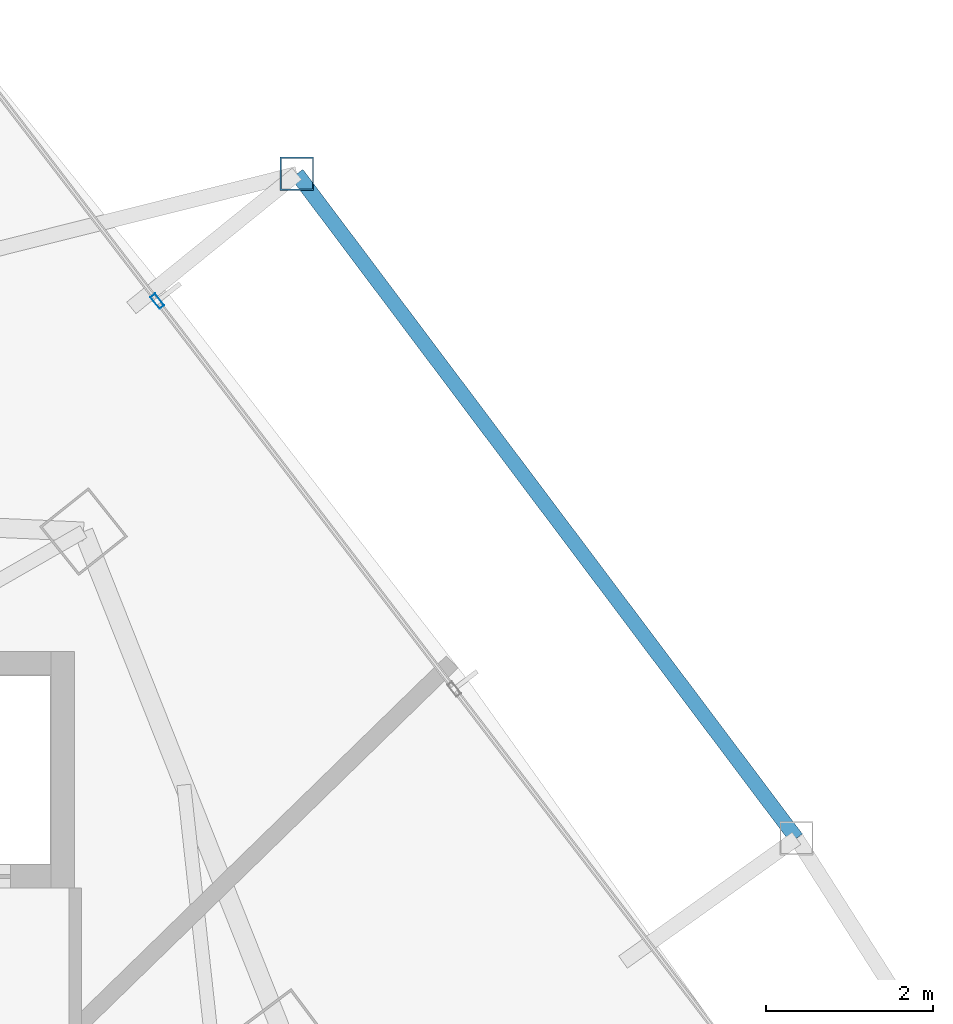
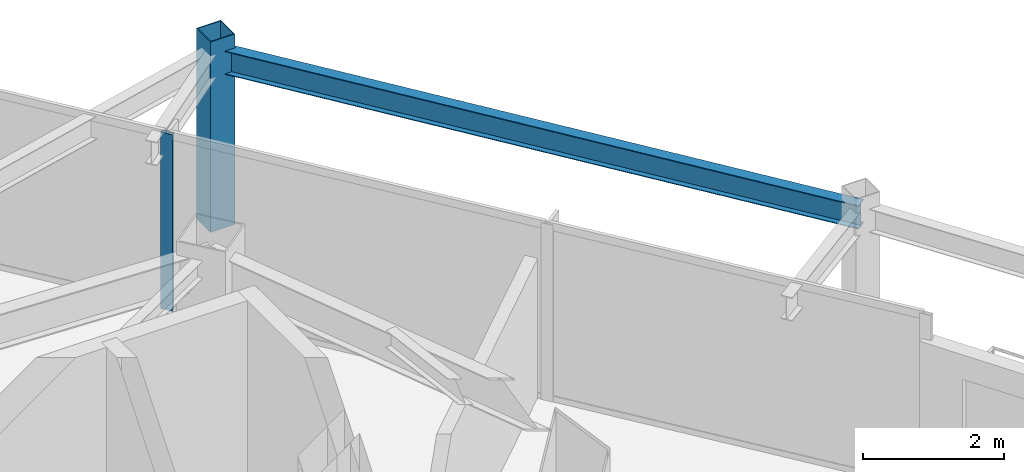
# One storey, part 24 of 31: 2 members, 1 beam, 1 element without a shape of its own.
"""IFC4 building model written with IfcOpenShell, lengths in metres."""

from ifc_helpers import new_model, si_unit, direction, frame, origin, origin_2d, place, context, subcontext, project, spatial, hollow_rectangle, i_section, extrude, material, layer, layer_set, material_profile, profile_set, type_object, element, aggregate, save


model = new_model("IFC4")

# Units and contexts
model_context = context("Model", 3, precision=1e-05, world=origin(), true_north=direction((0.0, 1.0)))
body_context = subcontext(model_context, "Body", "Model", "MODEL_VIEW")
ifc_project = project(units=[si_unit("LENGTHUNIT", "METRE"), si_unit("AREAUNIT", "SQUARE_METRE"), si_unit("VOLUMEUNIT", "CUBIC_METRE"), si_unit("PLANEANGLEUNIT", "RADIAN"), si_unit("MASSUNIT", "GRAM", prefix="KILO")], contexts=[model_context])

# Site, building, storey
site_placement = place(None, origin())
site = spatial("IfcSite", under=ifc_project, at=site_placement, CompositionType="ELEMENT")
building_placement = place(site_placement, origin())
building = spatial("IfcBuilding", under=site, at=building_placement, Name="Orvanel Arch Residences", CompositionType="ELEMENT")
storey_placement = place(building_placement, frame((0.0, 0.0, 110.0)))
storey = spatial("IfcBuildingStorey", under=building, at=storey_placement, Name="L30", CompositionType="ELEMENT", Elevation=110.0)

# Curtain wall, member
ifc_material_1 = material(Name="Bronze-anodised aluminium AA6063-T6", Category="aluminium")
ifc_layer = layer(ifc_material_1, 0.179931640625)
ifc_layer_set = layer_set([ifc_layer], Name="Bronze-anodised aluminium AA6063-T6")
curtain_wall_type = type_object("IfcCurtainWallType", Name="CW3-MID-SYS", PredefinedType="NOTDEFINED", material=ifc_layer_set)
curtain_wall_placement = place(storey_placement, origin())
curtain_wall = element("IfcCurtainWall", 1, at=curtain_wall_placement, inside=storey, type_object=curtain_wall_type, Name="L30 CW3-MID-SYS Unitised Curtain Wall", PredefinedType="NOTDEFINED")
ifc_material_profile_1 = material_profile(ifc_material_1, hollow_rectangle(XDim=0.070068359375, YDim=0.179931640625, WallThickness=0.00439453125, at=origin_2d()), Name="ALU180x70x4.5")
ifc_profile_set_1 = profile_set([ifc_material_profile_1], Name="Bronze-anodised aluminium AA6063-T6")
member_type_1 = type_object("IfcMemberType", Name="MUL-180x70", PredefinedType="MULLION", material=ifc_profile_set_1)
member_1_placement = place(storey_placement, frame((38.8330078125, 43.936767578125, 0.0), z_axis=(0.0, 0.0, 1.0), x_axis=(-0.794009853454, -0.607904887805, 0.0)))
member_1 = element("IfcMember", 2, at=member_1_placement, type_object=member_type_1, Name="CW-S3 mullion 3", PredefinedType="MULLION", context=body_context, shape_type="SweptSolid", body=[
    extrude(hollow_rectangle(XDim=0.070068359375, YDim=0.179931640625, WallThickness=0.00439453125, at=origin_2d()), origin(), (0.0, 0.0, 1.0), 3.06005859375),
])
aggregate(curtain_wall, [member_1])

# Beam
ifc_material_2 = material(Name="Structural steel AS/NZS 3679.1 Grade 300 (300 MPa)", Category="steel")
ifc_material_profile_2 = material_profile(ifc_material_2, i_section(OverallWidth=0.177978515625, OverallDepth=0.406005859375, WebThickness=0.0078125, FlangeThickness=0.0126953125, at=origin_2d()), Name="410UB59.7")
ifc_profile_set_2 = profile_set([ifc_material_profile_2], Name="Structural steel AS/NZS 3679.1 Grade 300 (300 MPa)")
beam_type = type_object("IfcBeamType", Name="OB-410UB-EXT", PredefinedType="SPANDREL", material=ifc_profile_set_2)
beam_placement = place(storey_placement, frame((46.486083984375, 37.5048828125, 2.85693359375), z_axis=(-0.600862966541, 0.799352047248, 0.0), x_axis=(-0.799352047248, -0.600862966541, 0.0)))
element("IfcBeam", 3, at=beam_placement, inside=storey, type_object=beam_type, Name="L30 Outer Perimeter Floor Ring Beam 11", PredefinedType="SPANDREL", context=body_context, shape_type="SweptSolid", body=[
    extrude(i_section(OverallWidth=0.177978515625, OverallDepth=0.406005859375, WebThickness=0.0078125, FlangeThickness=0.0126953125, at=origin_2d()), origin(), (0.0, 0.0, 1.0), 9.954345703125),
])

# Member
ifc_material_3 = material(Name="Structural steel AS/NZS 1163 C450L0 (Grade 450)", Category="steel")
ifc_material_profile_3 = material_profile(ifc_material_3, hollow_rectangle(XDim=0.39990234375, YDim=0.39990234375, WallThickness=0.01611328125, at=origin_2d()), Name="SHS400x400x16")
ifc_profile_set_3 = profile_set([ifc_material_profile_3], Name="Structural steel AS/NZS 1163 C450L0 (Grade 450)")
member_type_2 = type_object("IfcMemberType", Name="ST-400SHS-EXT", PredefinedType="STRUT", material=ifc_profile_set_3)
member_2_placement = place(storey_placement, frame((40.5048828125, 45.4619140625, 0.0), z_axis=(0.0, 0.0, 1.0), x_axis=(1.0, 0.0, 0.0)))
element("IfcMember", 4, at=member_2_placement, inside=storey, type_object=member_type_2, Name="L30 Outer Perimeter Frame Post 12", PredefinedType="STRUT", context=body_context, shape_type="SweptSolid", body=[
    extrude(hollow_rectangle(XDim=0.39990234375, YDim=0.39990234375, WallThickness=0.01611328125, at=origin_2d()), origin(), (0.0, 0.0, 1.0), 3.300048828125),
])

save(model, "model.ifc")
